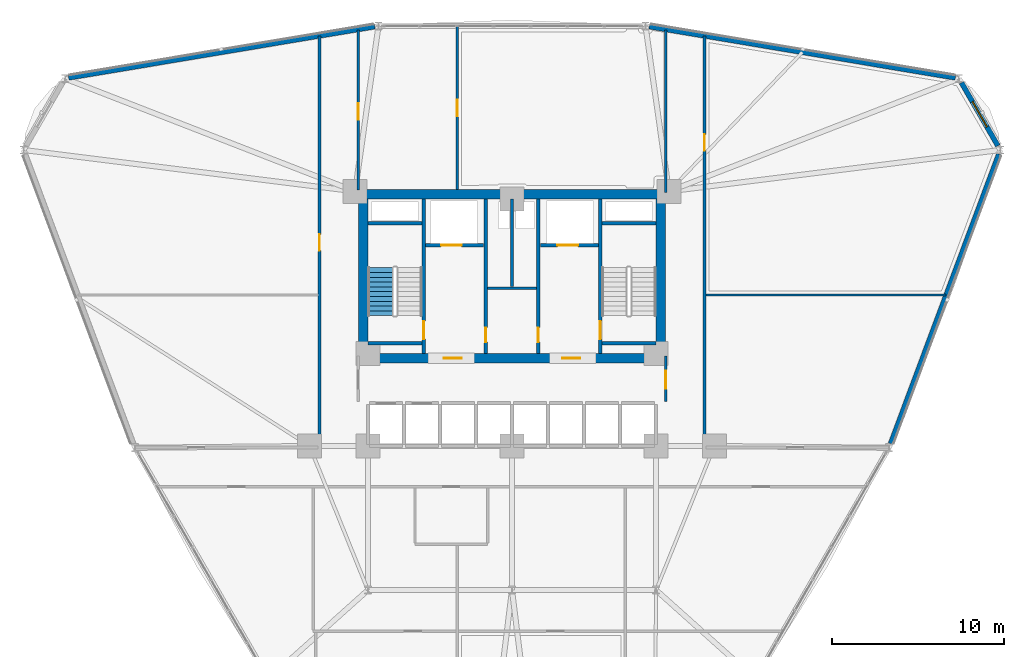
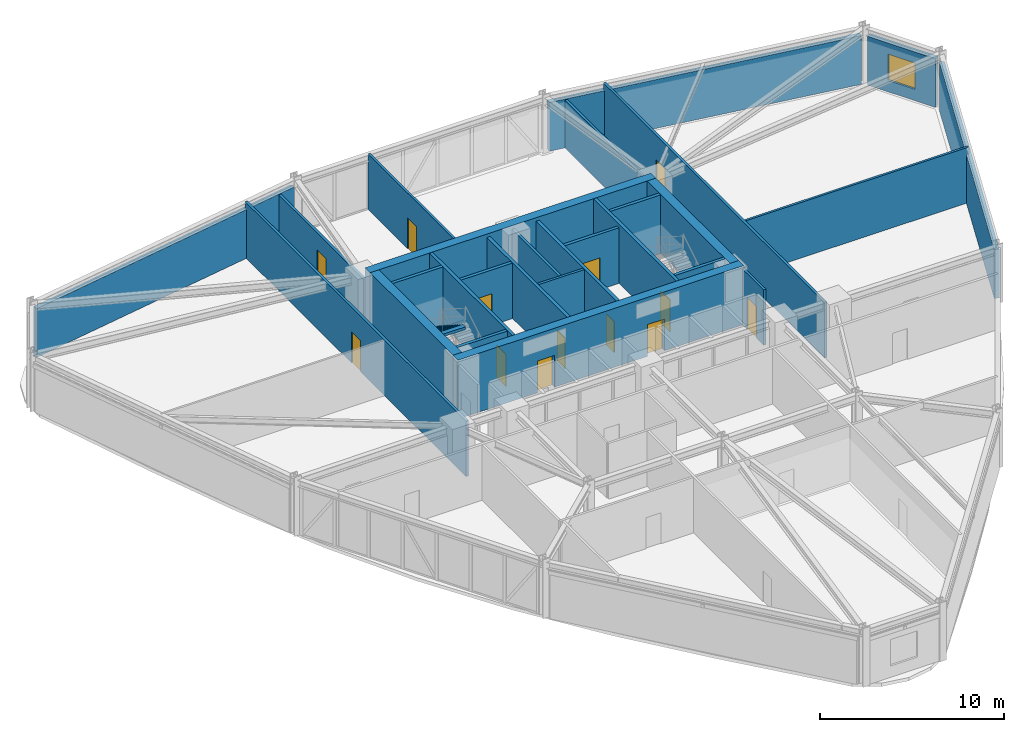
# One storey, part 17 of 22: 27 walls, 13 doors, 1 stair flight, 1 window, 14 openings, 1 element without a shape of its own.
"""IFC4 building model written with IfcOpenShell, lengths in metres."""

from ifc_helpers import new_model, si_unit, derived_unit, direction, frame, frame_2d, origin, place, context, subcontext, project, spatial, polyline, rectangle, outline, extrude, material, layer, layer_set, type_object, element, fill, aggregate, save


model = new_model("IFC4")

# Units and contexts
model_context = context("Model", 3, precision=1e-05, world=origin(), true_north=direction((0.0, 1.0)))
body_context = subcontext(model_context, "Body", "Model", "MODEL_VIEW")
ifc_project = project(units=[si_unit("LENGTHUNIT", "METRE"), si_unit("AREAUNIT", "SQUARE_METRE"), si_unit("VOLUMEUNIT", "CUBIC_METRE"), si_unit("PLANEANGLEUNIT", "RADIAN"), si_unit("MASSUNIT", "GRAM", prefix="KILO"), derived_unit("THERMALTRANSMITTANCEUNIT", [(si_unit("POWERUNIT", "WATT"), 1), (si_unit("LENGTHUNIT", "METRE"), -2), (si_unit("THERMODYNAMICTEMPERATUREUNIT", "KELVIN"), -1)])], contexts=[model_context])

# Site, building, storey
site_placement = place(None, origin())
site = spatial("IfcSite", under=ifc_project, at=site_placement, CompositionType="ELEMENT")
building_placement = place(site_placement, origin())
building = spatial("IfcBuilding", under=site, at=building_placement, Name="Korsvarv Bourse and Concert Hall", CompositionType="ELEMENT")
storey_placement = place(building_placement, frame((0.0, 0.0, 47.39990234375)))
storey = spatial("IfcBuildingStorey", under=building, at=storey_placement, Name="L11", CompositionType="ELEMENT", Elevation=47.39990234375)

# Wall, opening, door
ifc_material_1 = material(Name="Concrete C50/60", Category="concrete")
ifc_layer_1 = layer(ifc_material_1, 0.3798828125)
ifc_layer_set_1 = layer_set([ifc_layer_1], Name="Concrete C50/60")
wall_type_1 = type_object("IfcWallType", Name="WL-CORE-380", PredefinedType="SHEAR", material=ifc_layer_set_1)
wall_1_placement = place(storey_placement, frame((30.860107421875, 37.81005859375, 0.0), z_axis=(0.0, 0.0, 1.0), x_axis=(0.0, 1.0, 0.0)))
wall_1 = element("IfcWall", 1, at=wall_1_placement, inside=storey, type_object=wall_type_1, Name="L11 stair shaft structural wall W-L11-ST1-E", PredefinedType="SHEAR", context=body_context, shape_type="SweptSolid", body=[
    extrude(rectangle(XDim=8.97998046875, YDim=0.199951171875, at=frame_2d((4.489990234375, 0.0))), origin(), (0.0, 0.0, 1.0), 3.900146484375),
])
opening_1_placement = place(wall_1_placement, frame((0.820068359375, 0.0, 0.0)))
opening_1 = element("IfcOpeningElement", 2, at=opening_1_placement, cuts=wall_1, Name="Opening D-01", PredefinedType="OPENING", context=body_context, shape_type="SweptSolid", body=[
    extrude(rectangle(XDim=1.050048828125, YDim=2.10009765625, at=frame_2d((0.52490234375, 1.050048828125))), frame((0.0, 0.10986328125, 0.0), z_axis=(0.0, -1.0, 0.0), x_axis=(1.0, 0.0, 0.0)), (0.0, 0.0, 1.0), 0.219970703125),
])
ifc_material_2 = material(Name="Steel S355 fire door", Category="steel")
door_type_1 = type_object("IfcDoorType", Name="DR-FD60", OperationType="NOTDEFINED", PredefinedType="DOOR", material=ifc_material_2)
door_1_placement = place(opening_1_placement, origin())
door_1 = element("IfcDoor", 3, at=door_1_placement, inside=storey, type_object=door_type_1, Name="L11 interior door DR-L11-ST1", OperationType="SINGLE_SWING_RIGHT", OverallHeight=2.10009765625, OverallWidth=1.050048828125, PredefinedType="DOOR", context=body_context, shape_type="SweptSolid", body=[
    extrude(rectangle(XDim=1.050048828125, YDim=2.10009765625, at=frame_2d((0.52490234375, 1.050048828125))), frame((0.0, 0.02490234375, 0.0), z_axis=(0.0, -1.0, 0.0), x_axis=(1.0, 0.0, 0.0)), (0.0, 0.0, 1.0), 0.050048828125),
])
fill(opening_1, door_1)

# Walls
for number, where, z_axis, x_axis, name in (
    (4, (27.610107421875, 45.39990234375, 0.0), (0.0, 0.0, 1.0), (1.0, 0.0, 0.0), "L11 stair shaft structural wall W-L11-ST1-N"),
    (5, (27.610107421875, 38.39990234375, 0.0), (0.0, 0.0, 1.0), (1.0, 0.0, 0.0), "L11 stair shaft structural wall W-L11-ST1-S"),
):
    element("IfcWall", number, at=place(storey_placement, frame(where, z_axis=z_axis, x_axis=x_axis)), inside=storey, type_object=wall_type_1, Name=name, PredefinedType="SHEAR", context=body_context, shape_type="SweptSolid", body=[
        extrude(rectangle(XDim=3.139892578125, YDim=0.199951171875, at=frame_2d((1.56982421875, 0.0))), origin(), (0.0, 0.0, 1.0), 3.900146484375),
    ])

# Wall, opening, door
wall_2_placement = place(storey_placement, frame((41.139892578125, 37.81005859375, 0.0), z_axis=(0.0, 0.0, 1.0), x_axis=(0.0, 1.0, 0.0)))
wall_2 = element("IfcWall", 6, at=wall_2_placement, inside=storey, type_object=wall_type_1, Name="L11 stair shaft structural wall W-L11-ST2-W", PredefinedType="SHEAR", context=body_context, shape_type="SweptSolid", body=[
    extrude(rectangle(XDim=8.97998046875, YDim=0.199951171875, at=frame_2d((4.489990234375, 0.0))), origin(), (0.0, 0.0, 1.0), 3.900146484375),
])
opening_2_placement = place(wall_2_placement, frame((0.820068359375, 0.0, 0.0)))
opening_2 = element("IfcOpeningElement", 7, at=opening_2_placement, cuts=wall_2, Name="Opening D-01", PredefinedType="OPENING", context=body_context, shape_type="SweptSolid", body=[
    extrude(rectangle(XDim=1.050048828125, YDim=2.10009765625, at=frame_2d((0.52490234375, 1.050048828125))), frame((0.0, 0.10986328125, 0.0), z_axis=(0.0, -1.0, 0.0), x_axis=(1.0, 0.0, 0.0)), (0.0, 0.0, 1.0), 0.219970703125),
])
door_2_placement = place(opening_2_placement, frame((1.050048828125, 0.0, 0.0), z_axis=(0.0, 0.0, 1.0), x_axis=(-1.0, 0.0, 0.0)))
door_2 = element("IfcDoor", 8, at=door_2_placement, inside=storey, type_object=door_type_1, Name="L11 interior door DR-L11-ST2", OperationType="SINGLE_SWING_LEFT", OverallHeight=2.10009765625, OverallWidth=1.050048828125, PredefinedType="DOOR", context=body_context, shape_type="SweptSolid", body=[
    extrude(rectangle(XDim=1.050048828125, YDim=2.10009765625, at=frame_2d((0.52490234375, 1.050048828125))), frame((0.0, 0.02490234375, 0.0), z_axis=(0.0, -1.0, 0.0), x_axis=(1.0, 0.0, 0.0)), (0.0, 0.0, 1.0), 0.050048828125),
])
fill(opening_2, door_2)

# Walls
for number, where, z_axis, x_axis, name in (
    (9, (41.25, 45.39990234375, 0.0), (0.0, 0.0, 1.0), (1.0, 0.0, 0.0), "L11 stair shaft structural wall W-L11-ST2-N"),
    (10, (41.25, 38.39990234375, 0.0), (0.0, 0.0, 1.0), (1.0, 0.0, 0.0), "L11 stair shaft structural wall W-L11-ST2-S"),
):
    element("IfcWall", number, at=place(storey_placement, frame(where, z_axis=z_axis, x_axis=x_axis)), inside=storey, type_object=wall_type_1, Name=name, PredefinedType="SHEAR", context=body_context, shape_type="SweptSolid", body=[
        extrude(rectangle(XDim=3.139892578125, YDim=0.199951171875, at=frame_2d((1.56982421875, 0.0))), origin(), (0.0, 0.0, 1.0), 3.900146484375),
    ])
ifc_material_3 = material(Name="Concrete C60/75", Category="concrete")
ifc_layer_2 = layer(ifc_material_3, 0.550048828125)
ifc_layer_set_2 = layer_set([ifc_layer_2], Name="Concrete C60/75")
wall_type_2 = type_object("IfcWallType", Name="WL-CORE-550", PredefinedType="SHEAR", material=ifc_layer_set_2)
wall_3_placement = place(storey_placement, frame((27.050048828125, 47.074951171875, 0.0), z_axis=(0.0, 0.0, 1.0), x_axis=(1.0, 0.0, 0.0)))
element("IfcWall", 11, at=wall_3_placement, inside=storey, type_object=wall_type_2, Name="L11 North Core Shear Wall", PredefinedType="SHEAR", context=body_context, shape_type="SweptSolid", body=[
    extrude(rectangle(XDim=17.89990234375, YDim=0.550048828125, at=frame_2d((8.949951171875, 0.0))), origin(), (0.0, 0.0, 1.0), 3.900146484375),
])

# Wall, openings, doors
wall_4_placement = place(storey_placement, frame((27.050048828125, 37.52490234375, 0.0), z_axis=(0.0, 0.0, 1.0), x_axis=(1.0, 0.0, 0.0)))
wall_4 = element("IfcWall", 12, at=wall_4_placement, inside=storey, type_object=wall_type_2, Name="L11 South Core Shear Wall", PredefinedType="SHEAR", context=body_context, shape_type="SweptSolid", body=[
    extrude(rectangle(XDim=17.89990234375, YDim=0.550048828125, at=frame_2d((8.949951171875, 0.0))), origin(), (0.0, 0.0, 1.0), 3.900146484375),
])
opening_3_placement = place(wall_4_placement, frame((4.97509765625, 0.0, 0.0)))
opening_3 = element("IfcOpeningElement", 13, at=opening_3_placement, cuts=wall_4, Name="Opening D-01", PredefinedType="OPENING", context=body_context, shape_type="SweptSolid", body=[
    extrude(rectangle(XDim=1.050048828125, YDim=2.10009765625, at=frame_2d((0.52490234375, 1.050048828125))), frame((0.0, 0.28515625, 0.0), z_axis=(0.0, -1.0, 0.0), x_axis=(1.0, 0.0, 0.0)), (0.0, 0.0, 1.0), 0.570068359375),
])
opening_4_placement = place(wall_4_placement, frame((11.875, 0.0, 0.0)))
opening_4 = element("IfcOpeningElement", 14, at=opening_4_placement, cuts=wall_4, Name="Opening D-01", PredefinedType="OPENING", context=body_context, shape_type="SweptSolid", body=[
    extrude(rectangle(XDim=1.050048828125, YDim=2.10009765625, at=frame_2d((0.52490234375, 1.050048828125))), frame((0.0, 0.28515625, 0.0), z_axis=(0.0, -1.0, 0.0), x_axis=(1.0, 0.0, 0.0)), (0.0, 0.0, 1.0), 0.570068359375),
])
door_3_placement = place(opening_3_placement, frame((1.050048828125, 0.0, 0.0), z_axis=(0.0, 0.0, 1.0), x_axis=(-1.0, 0.0, 0.0)))
door_3 = element("IfcDoor", 15, at=door_3_placement, inside=storey, type_object=door_type_1, Name="L11 firefighting lobby fire door DR-L11-FFLW", OperationType="SINGLE_SWING_RIGHT", OverallHeight=2.10009765625, OverallWidth=1.050048828125, PredefinedType="DOOR", context=body_context, shape_type="SweptSolid", body=[
    extrude(rectangle(XDim=1.050048828125, YDim=2.10009765625, at=frame_2d((0.52490234375, 1.050048828125))), frame((0.0, 0.02490234375, 0.0), z_axis=(0.0, -1.0, 0.0), x_axis=(1.0, 0.0, 0.0)), (0.0, 0.0, 1.0), 0.050048828125),
])
fill(opening_3, door_3)
door_4_placement = place(opening_4_placement, frame((1.050048828125, 0.0, 0.0), z_axis=(0.0, 0.0, 1.0), x_axis=(-1.0, 0.0, 0.0)))
door_4 = element("IfcDoor", 16, at=door_4_placement, inside=storey, type_object=door_type_1, Name="L11 firefighting lobby fire door DR-L11-FFLE", OperationType="SINGLE_SWING_LEFT", OverallHeight=2.10009765625, OverallWidth=1.050048828125, PredefinedType="DOOR", context=body_context, shape_type="SweptSolid", body=[
    extrude(rectangle(XDim=1.050048828125, YDim=2.10009765625, at=frame_2d((0.52490234375, 1.050048828125))), frame((0.0, 0.02490234375, 0.0), z_axis=(0.0, -1.0, 0.0), x_axis=(1.0, 0.0, 0.0)), (0.0, 0.0, 1.0), 0.050048828125),
])
fill(opening_4, door_4)

# Walls
for number, where, z_axis, x_axis, name in (
    (17, (27.324951171875, 37.800048828125, 0.0), (0.0, 0.0, 1.0), (0.0, 1.0, 0.0), "L11 West Core Shear Wall"),
    (18, (44.675048828125, 37.800048828125, 0.0), (0.0, 0.0, 1.0), (0.0, 1.0, 0.0), "L11 East Core Shear Wall"),
):
    element("IfcWall", number, at=place(storey_placement, frame(where, z_axis=z_axis, x_axis=x_axis)), inside=storey, type_object=wall_type_2, Name=name, PredefinedType="SHEAR", context=body_context, shape_type="SweptSolid", body=[
        extrude(rectangle(XDim=9.0, YDim=0.550048828125, at=frame_2d((4.5, 0.0))), origin(), (0.0, 0.0, 1.0), 3.900146484375),
    ])

# Wall, opening, window
ifc_material_4 = material(Name="Precast concrete C45/55 with terracotta rainscreen", Category="concrete")
ifc_layer_3 = layer(ifc_material_4, 0.300048828125)
ifc_layer_set_3 = layer_set([ifc_layer_3], Name="Precast concrete C45/55 with terracotta rainscreen")
wall_type_3 = type_object("IfcWallType", Name="WL-EXT-TC1", PredefinedType="SOLIDWALL", material=ifc_layer_set_3)
wall_5_placement = place(storey_placement, frame((64.3349609375, 49.904296875, 0.0), z_axis=(0.0, 0.0, 1.0), x_axis=(-0.500017365573, 0.866015377534, 0.0)))
wall_5 = element("IfcWall", 19, at=wall_5_placement, inside=storey, type_object=wall_type_3, Name="L11 terracotta exterior wall EW-L11-B01", PredefinedType="SOLIDWALL", context=body_context, shape_type="SweptSolid", body=[
    extrude(rectangle(XDim=4.251708984375, YDim=0.300048828125, at=frame_2d((2.1259765625, 0.0))), origin(), (0.0, 0.0, 1.0), 3.22998046875),
])
opening_5_placement = place(wall_5_placement, frame((1.27587890625, 0.0, 0.75)))
opening_5 = element("IfcOpeningElement", 20, at=opening_5_placement, cuts=wall_5, Name="Opening W-01", PredefinedType="OPENING", context=body_context, shape_type="SweptSolid", body=[
    extrude(rectangle(XDim=1.699951171875, YDim=1.75, at=frame_2d((0.85009765625, 0.875))), frame((0.0, 0.16015625, 0.0), z_axis=(0.0, -1.0, 0.0), x_axis=(1.0, 0.0, 0.0)), (0.0, 0.0, 1.0), 0.320068359375),
])
ifc_material_5 = material(Name="Thermally broken aluminium frame with triple low-E glass", Category="glass")
window_type = type_object("IfcWindowType", Name="WIN-TW1", PartitioningType="SINGLE_PANEL", PredefinedType="WINDOW", material=ifc_material_5)
window_placement = place(opening_5_placement, origin())
window = element("IfcWindow", 21, at=window_placement, inside=storey, type_object=window_type, Name="L11 punched facade window W-01", OverallHeight=1.75, OverallWidth=1.699951171875, PartitioningType="SINGLE_PANEL", PredefinedType="WINDOW", context=body_context, shape_type="SweptSolid", body=[
    extrude(rectangle(XDim=1.699951171875, YDim=1.75, at=frame_2d((0.85009765625, 0.875))), frame((0.0, 0.030029296875, 0.0), z_axis=(0.0, -1.0, 0.0), x_axis=(1.0, 0.0, 0.0)), (0.0, 0.0, 1.0), 0.06005859375),
])
fill(opening_5, window)

# Walls
ifc_material_6 = material(Name="Precast concrete C45/55 with fluted terracotta pier", Category="concrete")
ifc_layer_4 = layer(ifc_material_6, 0.280029296875)
ifc_layer_set_4 = layer_set([ifc_layer_4], Name="Precast concrete C45/55 with fluted terracotta pier")
wall_type_4 = type_object("IfcWallType", Name="WL-EXT-TC2", PredefinedType="SOLIDWALL", material=ifc_layer_set_4)
for number, where, z_axis, x_axis, name in (
    (22, (61.852294921875, 53.86474609375, 0.0), (0.0, 0.0, 1.0), (-0.986273350987, 0.165120795577, 0.0), "L11 terracotta exterior wall EW-L11-B02"),
    (23, (27.998291015625, 56.853271484375, 0.0), (0.0, 0.0, 1.0), (-0.986273350987, -0.165120795577, 0.0), "L11 terracotta exterior wall EW-L11-B04"),
):
    element("IfcWall", number, at=place(storey_placement, frame(where, z_axis=z_axis, x_axis=x_axis)), inside=storey, type_object=wall_type_4, Name=name, PredefinedType="SOLIDWALL", context=body_context, shape_type="SweptSolid", body=[
        extrude(rectangle(XDim=18.09912109375, YDim=0.280029296875, at=frame_2d((9.049560546875, 0.0))), origin(), (0.0, 0.0, 1.0), 3.22998046875),
    ])
wall_6_placement = place(storey_placement, frame((58.07373046875, 32.5390625, 0.0), z_axis=(0.0, 0.0, 1.0), x_axis=(0.350140465982, 0.936697205121, 0.0)))
element("IfcWall", 24, at=wall_6_placement, inside=storey, type_object=wall_type_4, Name="L11 terracotta exterior wall EW-L11-B12", PredefinedType="SOLIDWALL", context=body_context, shape_type="SweptSolid", body=[
    extrude(rectangle(XDim=18.022216796875, YDim=0.280029296875, at=frame_2d((9.01123046875, 0.0))), origin(), (0.0, 0.0, 1.0), 3.22998046875),
])

# Wall, opening, door
ifc_material_7 = material(Name="Reinforced concrete blockwork C35/45 fire wall", Category="concrete")
ifc_layer_5 = layer(ifc_material_7, 0.199951171875)
ifc_layer_set_5 = layer_set([ifc_layer_5], Name="Reinforced concrete blockwork C35/45 fire wall")
wall_type_5 = type_object("IfcWallType", Name="WL-INT-EI120", PredefinedType="PARTITIONING", material=ifc_layer_set_5)
wall_7_placement = place(storey_placement, frame((30.969970703125, 44.10009765625, 0.0), z_axis=(0.0, 0.0, 1.0), x_axis=(1.0, 0.0, 0.0)))
wall_7 = element("IfcWall", 25, at=wall_7_placement, inside=storey, type_object=wall_type_5, Name="L11 interior partition wall W-L11-FF1-S", PredefinedType="PARTITIONING", context=body_context, shape_type="SweptSolid", body=[
    extrude(rectangle(XDim=3.380126953125, YDim=0.199951171875, at=frame_2d((1.68994140625, 0.0))), origin(), (0.0, 0.0, 1.0), 3.68017578125),
])
opening_6_placement = place(wall_7_placement, frame((0.89990234375, 0.0, 0.0)))
opening_6 = element("IfcOpeningElement", 26, at=opening_6_placement, cuts=wall_7, Name="Opening LD-1", PredefinedType="OPENING", context=body_context, shape_type="SweptSolid", body=[
    extrude(rectangle(XDim=1.199951171875, YDim=2.10009765625, at=frame_2d((0.60009765625, 1.050048828125))), frame((0.0, 0.10986328125, 0.0), z_axis=(0.0, -1.0, 0.0), x_axis=(1.0, 0.0, 0.0)), (0.0, 0.0, 1.0), 0.219970703125),
])
ifc_material_8 = material(Name="Stainless Steel S355 firefighting lift landing door", Category="steel")
door_type_2 = type_object("IfcDoorType", Name="DR-LIFT-FF", OperationType="DOUBLE_DOOR_SLIDING", PredefinedType="DOOR", material=ifc_material_8)
door_5_placement = place(opening_6_placement, origin())
door_5 = element("IfcDoor", 27, at=door_5_placement, inside=storey, type_object=door_type_2, Name="L11 lift sliding landing door LD-L11-FF1", OperationType="DOUBLE_DOOR_SLIDING", OverallHeight=2.10009765625, OverallWidth=1.199951171875, PredefinedType="DOOR", context=body_context, shape_type="SweptSolid", body=[
    extrude(rectangle(XDim=1.199951171875, YDim=2.10009765625, at=frame_2d((0.60009765625, 1.050048828125))), frame((0.0, 0.02490234375, 0.0), z_axis=(0.0, -1.0, 0.0), x_axis=(1.0, 0.0, 0.0)), (0.0, 0.0, 1.0), 0.050048828125),
])
fill(opening_6, door_5)

wall_8_placement = place(storey_placement, frame((37.64990234375, 44.10009765625, 0.0), z_axis=(0.0, 0.0, 1.0), x_axis=(1.0, 0.0, 0.0)))
wall_8 = element("IfcWall", 28, at=wall_8_placement, inside=storey, type_object=wall_type_5, Name="L11 interior partition wall W-L11-FF2-S", PredefinedType="PARTITIONING", context=body_context, shape_type="SweptSolid", body=[
    extrude(rectangle(XDim=3.380126953125, YDim=0.199951171875, at=frame_2d((1.68994140625, 0.0))), origin(), (0.0, 0.0, 1.0), 3.68017578125),
])
opening_7_placement = place(wall_8_placement, frame((1.0, 0.0, 0.0)))
opening_7 = element("IfcOpeningElement", 29, at=opening_7_placement, cuts=wall_8, Name="Opening LD-1", PredefinedType="OPENING", context=body_context, shape_type="SweptSolid", body=[
    extrude(rectangle(XDim=1.199951171875, YDim=2.10009765625, at=frame_2d((0.60009765625, 1.050048828125))), frame((0.0, 0.10986328125, 0.0), z_axis=(0.0, -1.0, 0.0), x_axis=(1.0, 0.0, 0.0)), (0.0, 0.0, 1.0), 0.219970703125),
])
door_6_placement = place(opening_7_placement, origin())
door_6 = element("IfcDoor", 30, at=door_6_placement, inside=storey, type_object=door_type_2, Name="L11 lift sliding landing door LD-L11-FF2", OperationType="DOUBLE_DOOR_SLIDING", OverallHeight=2.10009765625, OverallWidth=1.199951171875, PredefinedType="DOOR", context=body_context, shape_type="SweptSolid", body=[
    extrude(rectangle(XDim=1.199951171875, YDim=2.10009765625, at=frame_2d((0.60009765625, 1.050048828125))), frame((0.0, 0.02490234375, 0.0), z_axis=(0.0, -1.0, 0.0), x_axis=(1.0, 0.0, 0.0)), (0.0, 0.0, 1.0), 0.050048828125),
])
fill(opening_7, door_6)

wall_9_placement = place(storey_placement, frame((34.4599609375, 37.81005859375, 0.0), z_axis=(0.0, 0.0, 1.0), x_axis=(0.0, 1.0, 0.0)))
wall_9 = element("IfcWall", 31, at=wall_9_placement, inside=storey, type_object=wall_type_5, Name="L11 interior partition wall W-L11-CSB-W", PredefinedType="PARTITIONING", context=body_context, shape_type="SweptSolid", body=[
    extrude(rectangle(XDim=8.97998046875, YDim=0.199951171875, at=frame_2d((4.489990234375, 0.0))), origin(), (0.0, 0.0, 1.0), 3.68017578125),
])
opening_8_placement = place(wall_9_placement, frame((0.64990234375, 0.0, 0.0)))
opening_8 = element("IfcOpeningElement", 32, at=opening_8_placement, cuts=wall_9, Name="Opening D-05", PredefinedType="OPENING", context=body_context, shape_type="SweptSolid", body=[
    extrude(rectangle(XDim=0.85009765625, YDim=2.050048828125, at=frame_2d((0.425048828125, 1.02490234375))), frame((0.0, 0.10986328125, 0.0), z_axis=(0.0, -1.0, 0.0), x_axis=(1.0, 0.0, 0.0)), (0.0, 0.0, 1.0), 0.219970703125),
])
door_type_3 = type_object("IfcDoorType", Name="DR-FD60-850X2050", OperationType="NOTDEFINED", PredefinedType="DOOR", material=ifc_material_2)
door_7_placement = place(opening_8_placement, frame((0.85009765625, 0.0, 0.0), z_axis=(0.0, 0.0, 1.0), x_axis=(-1.0, 0.0, 0.0)))
door_7 = element("IfcDoor", 33, at=door_7_placement, inside=storey, type_object=door_type_3, Name="L11 interior door DR-L11-CSB1", OperationType="SINGLE_SWING_RIGHT", OverallHeight=2.050048828125, OverallWidth=0.85009765625, PredefinedType="DOOR", context=body_context, shape_type="SweptSolid", body=[
    extrude(rectangle(XDim=0.85009765625, YDim=2.050048828125, at=frame_2d((0.425048828125, 1.02490234375))), frame((0.0, 0.02490234375, 0.0), z_axis=(0.0, -1.0, 0.0), x_axis=(1.0, 0.0, 0.0)), (0.0, 0.0, 1.0), 0.050048828125),
])
fill(opening_8, door_7)

wall_10_placement = place(storey_placement, frame((37.5400390625, 37.81005859375, 0.0), z_axis=(0.0, 0.0, 1.0), x_axis=(0.0, 1.0, 0.0)))
wall_10 = element("IfcWall", 34, at=wall_10_placement, inside=storey, type_object=wall_type_5, Name="L11 interior partition wall W-L11-CSB-E", PredefinedType="PARTITIONING", context=body_context, shape_type="SweptSolid", body=[
    extrude(rectangle(XDim=8.97998046875, YDim=0.199951171875, at=frame_2d((4.489990234375, 0.0))), origin(), (0.0, 0.0, 1.0), 3.68017578125),
])
opening_9_placement = place(wall_10_placement, frame((0.64990234375, 0.0, 0.0)))
opening_9 = element("IfcOpeningElement", 35, at=opening_9_placement, cuts=wall_10, Name="Opening D-05", PredefinedType="OPENING", context=body_context, shape_type="SweptSolid", body=[
    extrude(rectangle(XDim=0.85009765625, YDim=2.050048828125, at=frame_2d((0.425048828125, 1.02490234375))), frame((0.0, 0.10986328125, 0.0), z_axis=(0.0, -1.0, 0.0), x_axis=(1.0, 0.0, 0.0)), (0.0, 0.0, 1.0), 0.219970703125),
])
door_8_placement = place(opening_9_placement, origin())
door_8 = element("IfcDoor", 36, at=door_8_placement, inside=storey, type_object=door_type_3, Name="L11 interior door DR-L11-CSB2", OperationType="SINGLE_SWING_LEFT", OverallHeight=2.050048828125, OverallWidth=0.85009765625, PredefinedType="DOOR", context=body_context, shape_type="SweptSolid", body=[
    extrude(rectangle(XDim=0.85009765625, YDim=2.050048828125, at=frame_2d((0.425048828125, 1.02490234375))), frame((0.0, 0.02490234375, 0.0), z_axis=(0.0, -1.0, 0.0), x_axis=(1.0, 0.0, 0.0)), (0.0, 0.0, 1.0), 0.050048828125),
])
fill(opening_9, door_8)

# Walls
ifc_material_9 = material(Name="Double-stud fire-rated acoustic partition", Category="gypsum")
ifc_layer_6 = layer(ifc_material_9, 0.159912109375)
ifc_layer_set_6 = layer_set([ifc_layer_6], Name="Double-stud fire-rated acoustic partition")
wall_type_6 = type_object("IfcWallType", Name="WL-INT-EI60", PredefinedType="PARTITIONING", material=ifc_layer_set_6)
wall_11_placement = place(storey_placement, frame((34.570068359375, 41.60009765625, 0.0), z_axis=(0.0, 0.0, 1.0), x_axis=(1.0, 0.0, 0.0)))
element("IfcWall", 37, at=wall_11_placement, inside=storey, type_object=wall_type_6, Name="L11 interior partition wall W-L11-K1", PredefinedType="PARTITIONING", context=body_context, shape_type="SweptSolid", body=[
    extrude(rectangle(XDim=2.85986328125, YDim=0.159912109375, at=frame_2d((1.429931640625, 0.0))), origin(), (0.0, 0.0, 1.0), 3.68017578125),
])
wall_12_placement = place(storey_placement, frame((36.0048828125, 41.68994140625, 0.0), z_axis=(0.0, 0.0, 1.0), x_axis=(0.0, 1.0, 0.0)))
element("IfcWall", 38, at=wall_12_placement, inside=storey, type_object=wall_type_6, Name="L11 interior partition wall W-L11-K2", PredefinedType="PARTITIONING", context=body_context, shape_type="SweptSolid", body=[
    extrude(rectangle(XDim=5.10009765625, YDim=0.159912109375, at=frame_2d((2.550048828125, 0.0))), origin(), (0.0, 0.0, 1.0), 3.68017578125),
])

# Wall, opening, door
wall_13_placement = place(storey_placement, frame((44.9599609375, 35.0, 0.0), z_axis=(0.0, 0.0, 1.0), x_axis=(0.0, 1.0, 0.0)))
wall_13 = element("IfcWall", 39, at=wall_13_placement, inside=storey, type_object=wall_type_6, Name="L11 interior partition wall W-L11-LOB-E", PredefinedType="PARTITIONING", context=body_context, shape_type="SweptSolid", body=[
    extrude(rectangle(XDim=2.64990234375, YDim=0.159912109375, at=frame_2d((1.324951171875, 0.0))), origin(), (0.0, 0.0, 1.0), 3.68017578125),
])
opening_10_placement = place(wall_13_placement, frame((0.75, 0.0, 0.0)))
opening_10 = element("IfcOpeningElement", 40, at=opening_10_placement, cuts=wall_13, Name="Opening D-01", PredefinedType="OPENING", context=body_context, shape_type="SweptSolid", body=[
    extrude(rectangle(XDim=1.050048828125, YDim=2.10009765625, at=frame_2d((0.52490234375, 1.050048828125))), frame((0.0, 0.08984375, 0.0), z_axis=(0.0, -1.0, 0.0), x_axis=(1.0, 0.0, 0.0)), (0.0, 0.0, 1.0), 0.179931640625),
])
door_9_placement = place(opening_10_placement, origin())
door_9 = element("IfcDoor", 41, at=door_9_placement, inside=storey, type_object=door_type_1, Name="L11 interior door DR-L11-LOBE", OperationType="SINGLE_SWING_LEFT", OverallHeight=2.10009765625, OverallWidth=1.050048828125, PredefinedType="DOOR", context=body_context, shape_type="SweptSolid", body=[
    extrude(rectangle(XDim=1.050048828125, YDim=2.10009765625, at=frame_2d((0.52490234375, 1.050048828125))), frame((0.0, 0.02490234375, 0.0), z_axis=(0.0, -1.0, 0.0), x_axis=(1.0, 0.0, 0.0)), (0.0, 0.0, 1.0), 0.050048828125),
])
fill(opening_10, door_9)

wall_14_placement = place(storey_placement, frame((47.22509765625, 32.31005859375, 0.0), z_axis=(0.0, 0.0, 1.0), x_axis=(0.0, 1.0, 0.0)))
wall_14 = element("IfcWall", 42, at=wall_14_placement, inside=storey, type_object=wall_type_6, Name="L11 interior partition wall W-L11-TCOR-02", PredefinedType="PARTITIONING", context=body_context, shape_type="SweptSolid", body=[
    extrude(rectangle(XDim=23.983642578125, YDim=0.159912109375, at=frame_2d((11.99169921875, 0.0))), origin(), (0.0, 0.0, 1.0), 3.68017578125),
])
opening_11_placement = place(wall_14_placement, frame((17.311279296875, 0.0, 0.0)))
opening_11 = element("IfcOpeningElement", 43, at=opening_11_placement, cuts=wall_14, Name="Opening D-02", PredefinedType="OPENING", context=body_context, shape_type="SweptSolid", body=[
    extrude(rectangle(XDim=0.949951171875, YDim=2.050048828125, at=frame_2d((0.47509765625, 1.02490234375))), frame((0.0, 0.08984375, 0.0), z_axis=(0.0, -1.0, 0.0), x_axis=(1.0, 0.0, 0.0)), (0.0, 0.0, 1.0), 0.179931640625),
])
ifc_material_10 = material(Name="Timber and steel acoustic fire door", Category="wood")
door_type_4 = type_object("IfcDoorType", Name="DR-FD30", OperationType="NOTDEFINED", PredefinedType="DOOR", material=ifc_material_10)
door_10_placement = place(opening_11_placement, origin())
door_10 = element("IfcDoor", 44, at=door_10_placement, inside=storey, type_object=door_type_4, Name="L11 interior door DR-L11-TCOR-MF102", OperationType="SINGLE_SWING_LEFT", OverallHeight=2.050048828125, OverallWidth=0.949951171875, PredefinedType="DOOR", context=body_context, shape_type="SweptSolid", body=[
    extrude(rectangle(XDim=0.949951171875, YDim=2.050048828125, at=frame_2d((0.47509765625, 1.02490234375))), frame((0.0, 0.02490234375, 0.0), z_axis=(0.0, -1.0, 0.0), x_axis=(1.0, 0.0, 0.0)), (0.0, 0.0, 1.0), 0.050048828125),
])
fill(opening_11, door_10)

wall_15_placement = place(storey_placement, frame((24.77490234375, 32.31005859375, 0.0), z_axis=(0.0, 0.0, 1.0), x_axis=(0.0, 1.0, 0.0)))
wall_15 = element("IfcWall", 45, at=wall_15_placement, inside=storey, type_object=wall_type_6, Name="L11 interior partition wall W-L11-TCOR-03", PredefinedType="PARTITIONING", context=body_context, shape_type="SweptSolid", body=[
    extrude(rectangle(XDim=23.983642578125, YDim=0.159912109375, at=frame_2d((11.99169921875, 0.0))), origin(), (0.0, 0.0, 1.0), 3.68017578125),
])
opening_12_placement = place(wall_15_placement, frame((11.47705078125, 0.0, 0.0)))
opening_12 = element("IfcOpeningElement", 46, at=opening_12_placement, cuts=wall_15, Name="Opening D-02", PredefinedType="OPENING", context=body_context, shape_type="SweptSolid", body=[
    extrude(rectangle(XDim=0.949951171875, YDim=2.050048828125, at=frame_2d((0.47509765625, 1.02490234375))), frame((0.0, 0.08984375, 0.0), z_axis=(0.0, -1.0, 0.0), x_axis=(1.0, 0.0, 0.0)), (0.0, 0.0, 1.0), 0.179931640625),
])
door_11_placement = place(opening_12_placement, origin())
door_11 = element("IfcDoor", 47, at=door_11_placement, inside=storey, type_object=door_type_4, Name="L11 interior door DR-L11-TCOR-MF813", OperationType="SINGLE_SWING_RIGHT", OverallHeight=2.050048828125, OverallWidth=0.949951171875, PredefinedType="DOOR", context=body_context, shape_type="SweptSolid", body=[
    extrude(rectangle(XDim=0.949951171875, YDim=2.050048828125, at=frame_2d((0.47509765625, 1.02490234375))), frame((0.0, 0.02490234375, 0.0), z_axis=(0.0, -1.0, 0.0), x_axis=(1.0, 0.0, 0.0)), (0.0, 0.0, 1.0), 0.050048828125),
])
fill(opening_12, door_11)

# Wall
wall_16_placement = place(storey_placement, frame((44.965087890625, 47.179931640625, 0.0), z_axis=(0.0, 0.0, 1.0), x_axis=(0.0, 1.0, 0.0)))
element("IfcWall", 48, at=wall_16_placement, inside=storey, type_object=wall_type_6, Name="L11 interior partition wall W-L11-TCOR-06", PredefinedType="PARTITIONING", context=body_context, shape_type="SweptSolid", body=[
    extrude(rectangle(XDim=9.491943359375, YDim=0.159912109375, at=frame_2d((4.74609375, 0.0))), origin(), (0.0, 0.0, 1.0), 3.18017578125),
])

# Wall, opening, door
wall_17_placement = place(storey_placement, frame((27.034912109375, 47.340087890625, 0.0), z_axis=(0.0, 0.0, 1.0), x_axis=(0.0, 1.0, 0.0)))
wall_17 = element("IfcWall", 49, at=wall_17_placement, inside=storey, type_object=wall_type_6, Name="L11 interior partition wall W-L11-TCOR-07", PredefinedType="PARTITIONING", context=body_context, shape_type="SweptSolid", body=[
    extrude(rectangle(XDim=9.331787109375, YDim=0.159912109375, at=frame_2d((4.666015625, 0.0))), origin(), (0.0, 0.0, 1.0), 3.18017578125),
])
opening_13_placement = place(wall_17_placement, frame((4.086181640625, 0.0, 0.0)))
opening_13 = element("IfcOpeningElement", 50, at=opening_13_placement, cuts=wall_17, Name="Opening D-02", PredefinedType="OPENING", context=body_context, shape_type="SweptSolid", body=[
    extrude(rectangle(XDim=0.949951171875, YDim=2.050048828125, at=frame_2d((0.47509765625, 1.02490234375))), frame((0.0, 0.08984375, 0.0), z_axis=(0.0, -1.0, 0.0), x_axis=(1.0, 0.0, 0.0)), (0.0, 0.0, 1.0), 0.179931640625),
])
door_12_placement = place(opening_13_placement, origin())
door_12 = element("IfcDoor", 51, at=door_12_placement, inside=storey, type_object=door_type_4, Name="L11 interior door DR-L11-TCOR-RM1010", OperationType="SINGLE_SWING_LEFT", OverallHeight=2.050048828125, OverallWidth=0.949951171875, PredefinedType="DOOR", context=body_context, shape_type="SweptSolid", body=[
    extrude(rectangle(XDim=0.949951171875, YDim=2.050048828125, at=frame_2d((0.47509765625, 1.02490234375))), frame((0.0, 0.02490234375, 0.0), z_axis=(0.0, -1.0, 0.0), x_axis=(1.0, 0.0, 0.0)), (0.0, 0.0, 1.0), 0.050048828125),
])
fill(opening_13, door_12)

# Wall
ifc_material_11 = material(Name="Insulated steel-stud office acoustic partition", Category="gypsum")
ifc_layer_7 = layer(ifc_material_11, 0.139892578125)
ifc_layer_set_7 = layer_set([ifc_layer_7], Name="Insulated steel-stud office acoustic partition")
wall_type_7 = type_object("IfcWallType", Name="WL-INT-P1", PredefinedType="PARTITIONING", material=ifc_layer_set_7)
wall_18_placement = place(storey_placement, frame((47.306884765625, 41.205078125, 0.0), z_axis=(0.0, 0.0, 1.0), x_axis=(1.0, 0.0, 0.0)))
element("IfcWall", 52, at=wall_18_placement, inside=storey, type_object=wall_type_7, Name="L11 interior partition wall W-L11-TCOR-11", PredefinedType="PARTITIONING", context=body_context, shape_type="SweptSolid", body=[
    extrude(rectangle(XDim=13.986328125, YDim=0.139892578125, at=frame_2d((6.9931640625, 0.0))), origin(), (0.0, 0.0, 1.0), 3.68017578125),
])

# Wall, opening, door
wall_19_placement = place(storey_placement, frame((32.804931640625, 47.35205078125, 0.0), z_axis=(0.0, 0.0, 1.0), x_axis=(0.0, 1.0, 0.0)))
wall_19 = element("IfcWall", 53, at=wall_19_placement, inside=storey, type_object=wall_type_7, Name="L11 interior partition wall W-L11-TCOR-13", PredefinedType="PARTITIONING", context=body_context, shape_type="SweptSolid", body=[
    extrude(rectangle(XDim=9.517333984375, YDim=0.139892578125, at=frame_2d((4.7587890625, 0.0))), origin(), (0.0, 0.0, 1.0), 3.68017578125),
])
opening_14_placement = place(wall_19_placement, frame((4.28369140625, 0.0, 0.0)))
opening_14 = element("IfcOpeningElement", 54, at=opening_14_placement, cuts=wall_19, Name="Opening D-03", PredefinedType="OPENING", context=body_context, shape_type="SweptSolid", body=[
    extrude(rectangle(XDim=0.949951171875, YDim=2.050048828125, at=frame_2d((0.47509765625, 1.02490234375))), frame((0.0, 0.080078125, 0.0), z_axis=(0.0, -1.0, 0.0), x_axis=(1.0, 0.0, 0.0)), (0.0, 0.0, 1.0), 0.159912109375),
])
ifc_material_12 = material(Name="Nordic oak acoustic office door", Category="wood")
door_type_5 = type_object("IfcDoorType", Name="DR-INT-1", OperationType="NOTDEFINED", PredefinedType="DOOR", material=ifc_material_12)
door_13_placement = place(opening_14_placement, origin())
door_13 = element("IfcDoor", 55, at=door_13_placement, inside=storey, type_object=door_type_5, Name="L11 interior door DR-L11-TCOR-RM1111", OperationType="SINGLE_SWING_RIGHT", OverallHeight=2.050048828125, OverallWidth=0.949951171875, PredefinedType="DOOR", context=body_context, shape_type="SweptSolid", body=[
    extrude(rectangle(XDim=0.949951171875, YDim=2.050048828125, at=frame_2d((0.47509765625, 1.02490234375))), frame((0.0, 0.02490234375, 0.0), z_axis=(0.0, -1.0, 0.0), x_axis=(1.0, 0.0, 0.0)), (0.0, 0.0, 1.0), 0.050048828125),
])
fill(opening_14, door_13)

# Stair, stair flight
ifc_material_13 = material(Name="Precast concrete C45/55", Category="concrete")
stair_type = type_object("IfcStairType", Name="STR-TYPE-03", PredefinedType="HALF_TURN_STAIR", material=ifc_material_13)
stair_placement = place(storey_placement, origin())
stair = element("IfcStair", 56, at=stair_placement, inside=storey, type_object=stair_type, Name="L11 Tower West Exit Stair ST-T1", PredefinedType="HALF_TURN_STAIR")
stair_flight_type = type_object("IfcStairFlightType", Name="FLT-TYPE-03", PredefinedType="STRAIGHT", material=ifc_material_13)
stair_flight_placement = place(storey_placement, frame((28.35009765625, 42.800048828125, 1.9501953125), z_axis=(0.0, 0.0, 1.0), x_axis=(0.0, -1.0, 0.0)))
stair_flight = element("IfcStairFlight", 57, at=stair_flight_placement, type_object=stair_flight_type, Name="ST-T1 flight 2", NumberOfRisers=11, NumberOfTreads=10, PredefinedType="STRAIGHT", RiserHeight=0.177272727, TreadLength=0.28, context=body_context, shape_type="SweptSolid", body=[
    extrude(outline(polyline([(0.0, 0.0), (0.0, 0.17724609375), (0.280029296875, 0.17724609375), (0.280029296875, 0.3544921875), (0.56005859375, 0.3544921875), (0.56005859375, 0.53173828125), (0.840087890625, 0.53173828125), (0.840087890625, 0.708984375), (1.1201171875, 0.708984375), (1.1201171875, 0.886474609375), (1.39990234375, 0.886474609375), (1.39990234375, 1.063720703125), (1.679931640625, 1.063720703125), (1.679931640625, 1.240966796875), (1.9599609375, 1.240966796875), (1.9599609375, 1.418212890625), (2.239990234375, 1.418212890625), (2.239990234375, 1.595458984375), (2.52001953125, 1.595458984375), (2.52001953125, 1.772705078125), (2.800048828125, 1.772705078125), (2.800048828125, 1.949951171875), (2.800048828125, 1.59521484375), (0.2802734375, 0.0), (0.0, 0.0)])), frame((0.0, 0.75, 0.0), z_axis=(0.0, -1.0, 0.0), x_axis=(1.0, 0.0, 0.0)), (0.0, 0.0, 1.0), 1.5),
])
aggregate(stair, [stair_flight])

save(model, "model.ifc")
